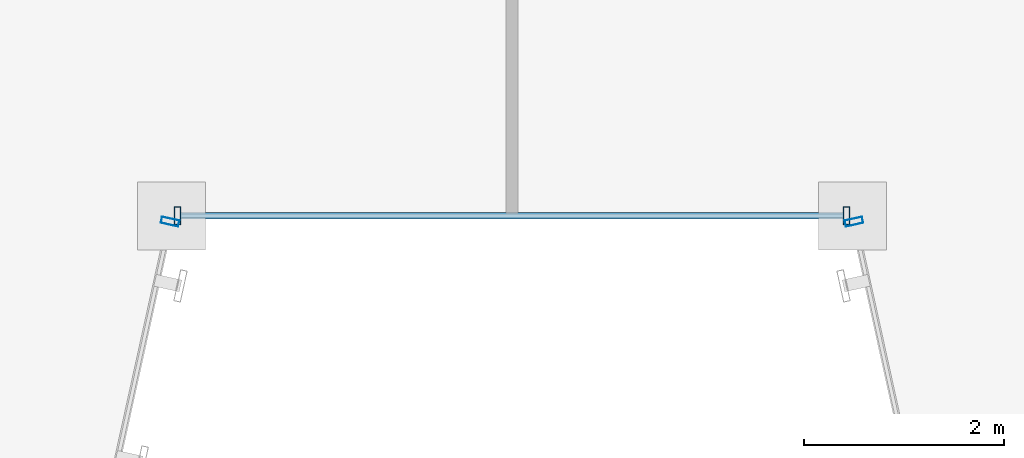
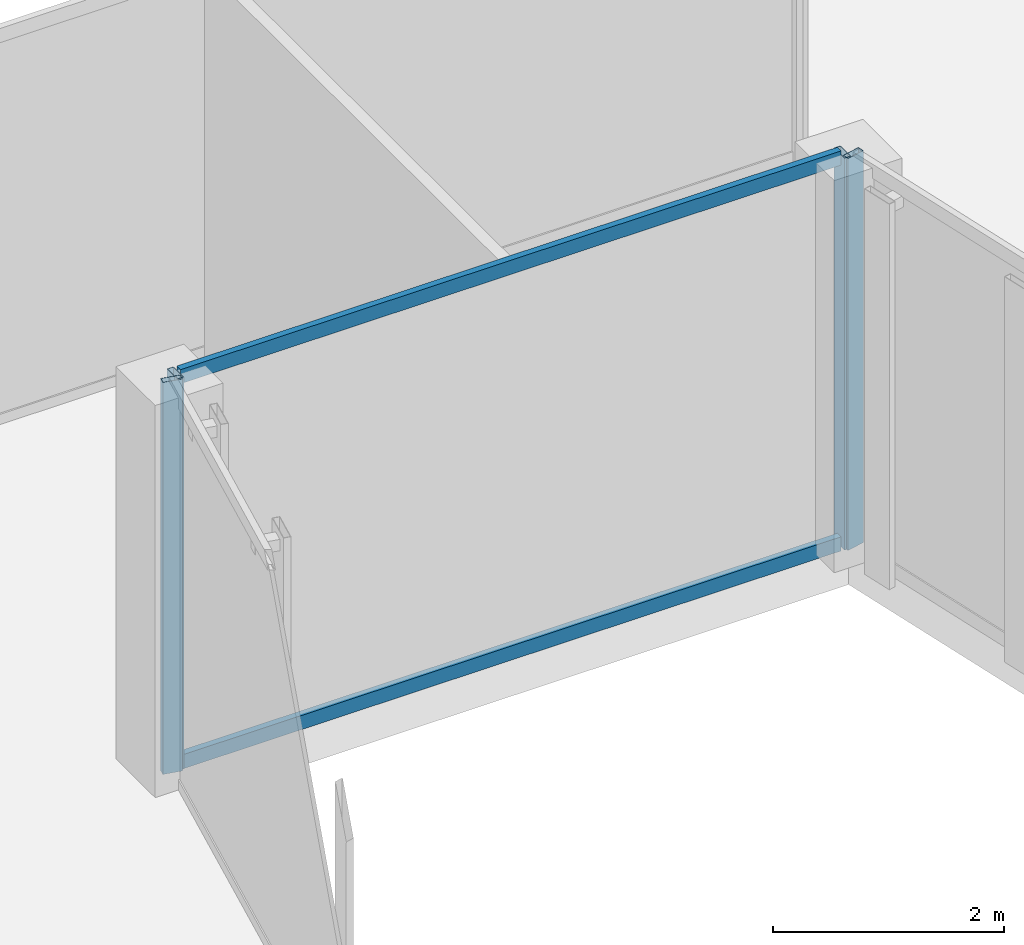
# One storey, part 9 of 49: 6 members, 3 elements without a shape of their own.
"""IFC4 building model written with IfcOpenShell, lengths in metres."""

from ifc_helpers import new_model, si_unit, direction, frame, origin, origin_2d, place, context, subcontext, project, spatial, hollow_rectangle, extrude, material, material_profile, profile_set, type_object, element, aggregate, save


model = new_model("IFC4")

# Units and contexts
model_context = context("Model", 3, precision=1e-05, world=origin(), true_north=direction((0.0, 1.0)))
body_context = subcontext(model_context, "Body", "Model", "MODEL_VIEW")
ifc_project = project(units=[si_unit("LENGTHUNIT", "METRE"), si_unit("AREAUNIT", "SQUARE_METRE"), si_unit("VOLUMEUNIT", "CUBIC_METRE"), si_unit("PLANEANGLEUNIT", "RADIAN"), si_unit("MASSUNIT", "GRAM", prefix="KILO")], contexts=[model_context])

# Site, building, storey
site_placement = place(None, origin())
site = spatial("IfcSite", under=ifc_project, at=site_placement, CompositionType="ELEMENT")
building_placement = place(site_placement, origin())
building = spatial("IfcBuilding", under=site, at=building_placement, Name="Saevonmaru Cultural Tower", CompositionType="ELEMENT")
storey_placement = place(building_placement, frame((0.0, 0.0, 38.39990234375)))
storey = spatial("IfcBuildingStorey", under=building, at=storey_placement, Name="L07", CompositionType="ELEMENT", Elevation=38.39990234375)

# Curtain wall, member
ifc_material = material(Name="Satin Bronze Anodised Aluminium", Category="aluminium")
curtain_wall_type = type_object("IfcCurtainWallType", Name="CW-TYP-A", PredefinedType="NOTDEFINED", material=ifc_material)
curtain_wall_1_placement = place(storey_placement, origin())
curtain_wall_1 = element("IfcCurtainWall", 1, at=curtain_wall_1_placement, inside=storey, type_object=curtain_wall_type, Name="L07 Unitised Curtain Wall E3", PredefinedType="NOTDEFINED")
ifc_material_profile_1 = material_profile(ifc_material, hollow_rectangle(XDim=0.06494140625, YDim=0.179931640625, WallThickness=0.00390625, at=origin_2d()), Name="ALU-MULL-180x65x4")
ifc_profile_set_1 = profile_set([ifc_material_profile_1], Name="Satin Bronze Anodised Aluminium")
member_type_1 = type_object("IfcMemberType", Name="ML-CW-180x65", PredefinedType="MULLION", material=ifc_profile_set_1)
member_1_placement = place(storey_placement, frame((26.587158203125, 15.54150390625, 0.0), z_axis=(0.0, 0.0, 1.0), x_axis=(0.215413319953, 0.976522965212, 0.0)))
member_1 = element("IfcMember", 2, at=member_1_placement, type_object=member_type_1, Name="CW-TW-L07-E3 mullion 2", PredefinedType="MULLION", context=body_context, shape_type="SweptSolid", body=[
    extrude(hollow_rectangle(XDim=0.06494140625, YDim=0.179931640625, WallThickness=0.00390625, at=origin_2d()), origin(), (0.0, 0.0, 1.0), 4.150146484375),
])
aggregate(curtain_wall_1, [member_1])

# Curtain wall, members
curtain_wall_2_placement = place(storey_placement, origin())
curtain_wall_2 = element("IfcCurtainWall", 3, at=curtain_wall_2_placement, inside=storey, type_object=curtain_wall_type, Name="L07 Unitised Curtain Wall E4", PredefinedType="NOTDEFINED")
member_2_placement = place(storey_placement, frame((26.659912109375, 15.60009765625, 0.0), z_axis=(0.0, 0.0, 1.0), x_axis=(1.0, 0.0, 0.0)))
member_2 = element("IfcMember", 4, at=member_2_placement, type_object=member_type_1, Name="CW-TW-L07-E4 mullion 1", PredefinedType="MULLION", context=body_context, shape_type="SweptSolid", body=[
    extrude(hollow_rectangle(XDim=0.06494140625, YDim=0.179931640625, WallThickness=0.00390625, at=origin_2d()), origin(), (0.0, 0.0, 1.0), 4.150146484375),
])
member_3_placement = place(storey_placement, frame((33.340087890625, 15.60009765625, 0.0), z_axis=(0.0, 0.0, 1.0), x_axis=(1.0, 0.0, 0.0)))
member_3 = element("IfcMember", 5, at=member_3_placement, type_object=member_type_1, Name="CW-TW-L07-E4 mullion 2", PredefinedType="MULLION", context=body_context, shape_type="SweptSolid", body=[
    extrude(hollow_rectangle(XDim=0.06494140625, YDim=0.179931640625, WallThickness=0.00390625, at=origin_2d()), origin(), (0.0, 0.0, 1.0), 4.150146484375),
])

# Curtain wall, member
curtain_wall_3_placement = place(storey_placement, origin())
curtain_wall_3 = element("IfcCurtainWall", 6, at=curtain_wall_3_placement, inside=storey, type_object=curtain_wall_type, Name="L07 Unitised Curtain Wall E5", PredefinedType="NOTDEFINED")
member_4_placement = place(storey_placement, frame((33.412841796875, 15.54150390625, 0.0), z_axis=(0.0, 0.0, 1.0), x_axis=(0.215413319953, -0.976522965212, 0.0)))
member_4 = element("IfcMember", 7, at=member_4_placement, type_object=member_type_1, Name="CW-TW-L07-E5 mullion 1", PredefinedType="MULLION", context=body_context, shape_type="SweptSolid", body=[
    extrude(hollow_rectangle(XDim=0.06494140625, YDim=0.179931640625, WallThickness=0.00390625, at=origin_2d()), origin(), (0.0, 0.0, 1.0), 4.150146484375),
])
aggregate(curtain_wall_3, [member_4])

# Member
ifc_material_profile_2 = material_profile(ifc_material, hollow_rectangle(XDim=0.06494140625, YDim=0.14990234375, WallThickness=0.00390625, at=origin_2d()), Name="ALU-TRAN-150x65x4")
ifc_profile_set_2 = profile_set([ifc_material_profile_2], Name="Satin Bronze Anodised Aluminium")
member_type_2 = type_object("IfcMemberType", Name="TR-CW-150x65", PredefinedType="USERDEFINED", material=ifc_profile_set_2)
member_5_placement = place(storey_placement, frame((26.6923828125, 15.60009765625, 0.03271484375), z_axis=(1.0, 0.0, 0.0), x_axis=(0.0, 1.0, 0.0)))
member_5 = element("IfcMember", 8, at=member_5_placement, type_object=member_type_2, Name="CW-TW-L07-E4 transom 1.1", ObjectType="TRANSOM", PredefinedType="USERDEFINED", context=body_context, shape_type="SweptSolid", body=[
    extrude(hollow_rectangle(XDim=0.06494140625, YDim=0.14990234375, WallThickness=0.00390625, at=origin_2d()), origin(), (0.0, 0.0, 1.0), 6.615234375),
])

member_6_placement = place(storey_placement, frame((26.6923828125, 15.60009765625, 4.11767578125), z_axis=(1.0, 0.0, 0.0), x_axis=(0.0, 1.0, 0.0)))
member_6 = element("IfcMember", 9, at=member_6_placement, type_object=member_type_2, Name="CW-TW-L07-E4 transom 1.2", ObjectType="TRANSOM", PredefinedType="USERDEFINED", context=body_context, shape_type="SweptSolid", body=[
    extrude(hollow_rectangle(XDim=0.06494140625, YDim=0.14990234375, WallThickness=0.00390625, at=origin_2d()), origin(), (0.0, 0.0, 1.0), 6.615234375),
])

aggregate(curtain_wall_2, [member_2, member_3, member_5, member_6])

save(model, "model.ifc")
